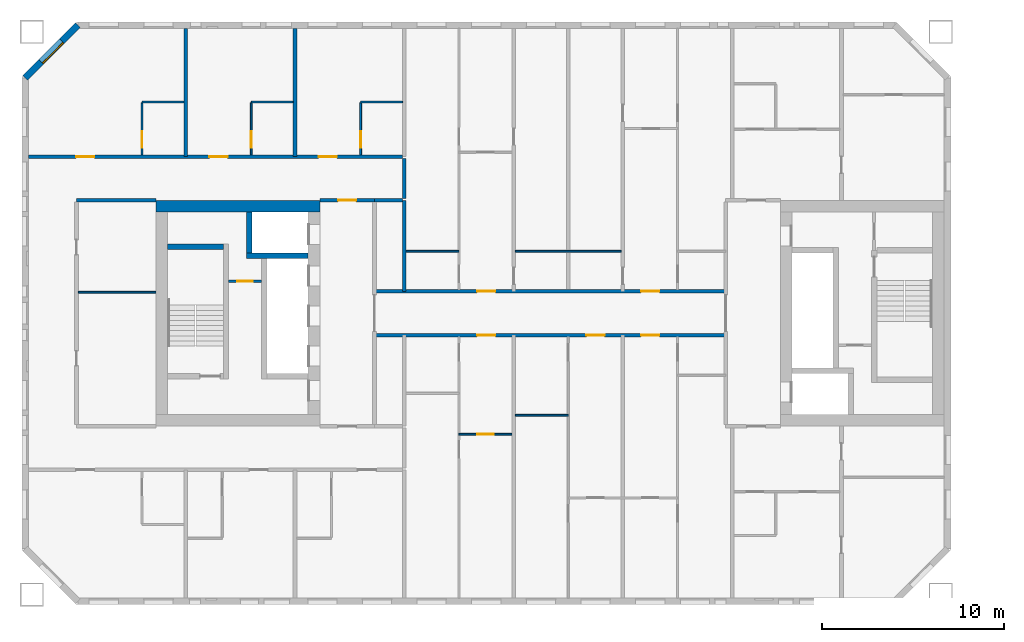
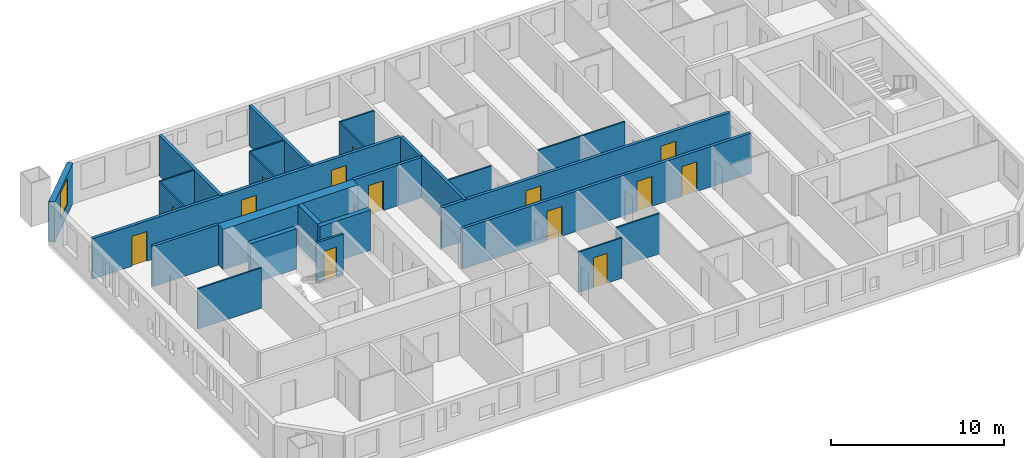
# One storey, part 5 of 17: 27 walls, 14 doors, 1 window, 15 openings.
"""IFC4 building model written with IfcOpenShell, lengths in metres."""

from ifc_helpers import new_model, si_unit, direction, frame, frame_2d, origin, place, context, subcontext, project, spatial, rectangle, extrude, material, layer, layer_set, type_object, element, fill, save


model = new_model("IFC4")

# Units and contexts
model_context = context("Model", 3, precision=1e-05, world=origin(), true_north=direction((0.0, 1.0)))
body_context = subcontext(model_context, "Body", "Model", "MODEL_VIEW")
ifc_project = project(units=[si_unit("LENGTHUNIT", "METRE"), si_unit("AREAUNIT", "SQUARE_METRE"), si_unit("VOLUMEUNIT", "CUBIC_METRE"), si_unit("PLANEANGLEUNIT", "RADIAN"), si_unit("MASSUNIT", "GRAM", prefix="KILO")], contexts=[model_context])

# Site, building, storey
site_placement = place(None, origin())
site = spatial("IfcSite", under=ifc_project, at=site_placement, CompositionType="ELEMENT")
building_placement = place(site_placement, origin())
building = spatial("IfcBuilding", under=site, at=building_placement, Name="Tuart Gate Housing", CompositionType="ELEMENT")
storey_placement = place(building_placement, frame((0.0, 0.0, 102.60009765625)))
storey = spatial("IfcBuildingStorey", under=building, at=storey_placement, Name="L28", CompositionType="ELEMENT", Elevation=102.60009765625)

# Wall, opening, window
ifc_material_1 = material(Name="Brick", Category="masonry")
ifc_layer_1 = layer(ifc_material_1, 0.360107421875)
ifc_layer_set_1 = layer_set([ifc_layer_1], Name="Brick pier and spandrel wall 360")
wall_type_1 = type_object("IfcWallType", Name="Brick pier and spandrel wall 360", PredefinedType="STANDARD", material=ifc_layer_set_1)
wall_1_placement = place(storey_placement, frame((28.07470703125, 85.820068359375, 0.0), z_axis=(0.0, 0.0, 1.0), x_axis=(-0.707106781187, -0.707106781187, 0.0)))
wall_1 = element("IfcWall", 1, at=wall_1_placement, inside=storey, type_object=wall_type_1, Name="External wall A-NW L28", PredefinedType="STANDARD", context=body_context, shape_type="SweptSolid", body=[
    extrude(rectangle(XDim=4.09375, YDim=0.360107421875, at=frame_2d((2.046875, 0.0))), origin(), (0.0, 0.0, 1.0), 2.849853515625),
])
opening_1_placement = place(wall_1_placement, frame((1.2470703125, 0.0, 0.800048828125)))
opening_1 = element("IfcOpeningElement", 2, at=opening_1_placement, cuts=wall_1, Name="Opening W1", PredefinedType="OPENING", context=body_context, shape_type="SweptSolid", body=[
    extrude(rectangle(XDim=1.60009765625, YDim=1.800048828125, at=frame_2d((0.800048828125, 0.89990234375))), frame((0.0, 0.18994140625, 0.0), z_axis=(0.0, -1.0, 0.0), x_axis=(1.0, 0.0, 0.0)), (0.0, 0.0, 1.0), 0.380126953125),
])
ifc_material_2 = material(Name="Aluminium frame with clear glass", Category="aluminium")
window_type = type_object("IfcWindowType", Name="Punched window 1600 x 1800", PartitioningType="SINGLE_PANEL", PredefinedType="WINDOW", material=ifc_material_2)
window_placement = place(opening_1_placement, origin())
window = element("IfcWindow", 3, at=window_placement, inside=storey, type_object=window_type, Name="Window W1", OverallHeight=1.800048828125, OverallWidth=1.60009765625, PartitioningType="SINGLE_PANEL", PredefinedType="WINDOW", context=body_context, shape_type="SweptSolid", body=[
    extrude(rectangle(XDim=1.60009765625, YDim=1.800048828125, at=frame_2d((0.800048828125, 0.89990234375))), frame((0.0, 0.150146484375, 0.0), z_axis=(0.0, -1.0, 0.0), x_axis=(1.0, 0.0, 0.0)), (0.0, 0.0, 1.0), 0.06005859375),
])
fill(opening_1, window)

# Wall, opening, door
ifc_material_3 = material(Name="Plasterboard partition")
ifc_layer_2 = layer(ifc_material_3, 0.14990234375)
ifc_layer_set_2 = layer_set([ifc_layer_2], Name="Core partition 150")
wall_type_2 = type_object("IfcWallType", Name="Core partition 150", PredefinedType="PARTITIONING", material=ifc_layer_set_2)
wall_2_placement = place(storey_placement, frame((38.159912109375, 71.75, 0.0), z_axis=(0.0, 0.0, 1.0), x_axis=(-1.0, 0.0, 0.0)))
wall_2 = element("IfcWall", 4, at=wall_2_placement, inside=storey, type_object=wall_type_2, Name="Core partition AK.3", PredefinedType="PARTITIONING", context=body_context, shape_type="SweptSolid", body=[
    extrude(rectangle(XDim=1.7998046875, YDim=0.14990234375, at=frame_2d((0.89990234375, 0.0))), origin(), (0.0, 0.0, 1.0), 2.849853515625),
])
opening_2_placement = place(wall_2_placement, frame((0.47509765625, 0.0, 0.0)))
opening_2 = element("IfcOpeningElement", 5, at=opening_2_placement, cuts=wall_2, Name="Opening D1089", PredefinedType="OPENING", context=body_context, shape_type="SweptSolid", body=[
    extrude(rectangle(XDim=0.85009765625, YDim=2.10009765625, at=frame_2d((0.425048828125, 1.050048828125))), frame((0.0, 0.0849609375, 0.0), z_axis=(0.0, -1.0, 0.0), x_axis=(1.0, 0.0, 0.0)), (0.0, 0.0, 1.0), 0.169921875),
])
ifc_material_4 = material(Name="Steel fire door", Category="steel")
door_type_1 = type_object("IfcDoorType", Name="Riser door 850 x 2100 RH", OperationType="SINGLE_SWING_RIGHT", PredefinedType="DOOR", material=ifc_material_4)
door_1_placement = place(opening_2_placement, frame((0.85009765625, 0.0, 0.0), z_axis=(0.0, 0.0, 1.0), x_axis=(-1.0, 0.0, 0.0)))
door_1 = element("IfcDoor", 6, at=door_1_placement, inside=storey, type_object=door_type_1, Name="Service room door AK.E1", OperationType="SINGLE_SWING_RIGHT", OverallHeight=2.10009765625, OverallWidth=0.85009765625, PredefinedType="DOOR", context=body_context, shape_type="SweptSolid", body=[
    extrude(rectangle(XDim=0.85009765625, YDim=2.10009765625, at=frame_2d((0.425048828125, 1.050048828125))), frame((0.0, 0.025146484375, 0.0), z_axis=(0.0, -1.0, 0.0), x_axis=(1.0, 0.0, 0.0)), (0.0, 0.0, 1.0), 0.050048828125),
])
fill(opening_2, door_1)

# Walls
ifc_material_5 = material(Name="Concrete C50", Category="concrete")
ifc_layer_3 = layer(ifc_material_5, 0.300048828125)
ifc_layer_set_3 = layer_set([ifc_layer_3], Name="Core wall 300 C50")
wall_type_3 = type_object("IfcWallType", Name="Core wall 300 C50", PredefinedType="SHEAR", material=ifc_layer_set_3)
wall_3_placement = place(storey_placement, frame((36.06005859375, 73.64990234375, 0.0), z_axis=(0.0, 0.0, 1.0), x_axis=(-1.0, 0.0, 0.0)))
element("IfcWall", 7, at=wall_3_placement, inside=storey, type_object=wall_type_3, Name="Core wall AK.1", PredefinedType="SHEAR", context=body_context, shape_type="SweptSolid", body=[
    extrude(rectangle(XDim=3.050048828125, YDim=0.300048828125, at=frame_2d((1.52490234375, 0.0))), origin(), (0.0, 0.0, 1.0), 2.849853515625),
])
wall_4_placement = place(storey_placement, frame((40.7099609375, 73.14990234375, 0.0), z_axis=(0.0, 0.0, 1.0), x_axis=(-1.0, 0.0, 0.0)))
element("IfcWall", 8, at=wall_4_placement, inside=storey, type_object=wall_type_3, Name="Core wall AK.2", PredefinedType="SHEAR", context=body_context, shape_type="SweptSolid", body=[
    extrude(rectangle(XDim=3.369873046875, YDim=0.300048828125, at=frame_2d((1.68505859375, 0.0))), origin(), (0.0, 0.0, 1.0), 2.849853515625),
])
wall_5_placement = place(storey_placement, frame((37.489990234375, 75.550048828125, 0.0), z_axis=(0.0, 0.0, 1.0), x_axis=(0.0, -1.0, 0.0)))
element("IfcWall", 9, at=wall_5_placement, inside=storey, type_object=wall_type_3, Name="Core wall AK.7", PredefinedType="SHEAR", context=body_context, shape_type="SweptSolid", body=[
    extrude(rectangle(XDim=2.25, YDim=0.300048828125, at=frame_2d((1.125, 0.0))), origin(), (0.0, 0.0, 1.0), 2.849853515625),
])
ifc_material_6 = material(Name="Concrete C50", Category="concrete")
ifc_layer_4 = layer(ifc_material_6, 0.64990234375)
ifc_layer_set_4 = layer_set([ifc_layer_4], Name="Core wall 650 C50")
wall_type_4 = type_object("IfcWallType", Name="Core wall 650 C50", PredefinedType="SHEAR", material=ifc_layer_set_4)
wall_6_placement = place(storey_placement, frame((41.360107421875, 75.875, 0.0), z_axis=(0.0, 0.0, 1.0), x_axis=(-1.0, 0.0, 0.0)))
element("IfcWall", 10, at=wall_6_placement, inside=storey, type_object=wall_type_4, Name="Core wall AK south", PredefinedType="SHEAR", context=body_context, shape_type="SweptSolid", body=[
    extrude(rectangle(XDim=9.0, YDim=0.64990234375, at=frame_2d((4.5, 0.0))), origin(), (0.0, 0.0, 1.0), 2.849853515625),
])

# Wall, openings, doors
ifc_material_7 = material(Name="Concrete masonry 15 MPa", Category="masonry")
ifc_layer_5 = layer(ifc_material_7, 0.199951171875)
ifc_layer_set_5 = layer_set([ifc_layer_5], Name="Corridor wall masonry 200")
wall_type_5 = type_object("IfcWallType", Name="Corridor wall masonry 200", PredefinedType="PARTITIONING", material=ifc_layer_set_5)
wall_7_placement = place(storey_placement, frame((44.360107421875, 68.800048828125, 0.0), z_axis=(0.0, 0.0, 1.0), x_axis=(1.0, 0.0, 0.0)))
wall_7 = element("IfcWall", 11, at=wall_7_placement, inside=storey, type_object=wall_type_5, Name="Corridor wall masonry 200", PredefinedType="PARTITIONING", context=body_context, shape_type="SweptSolid", body=[
    extrude(rectangle(XDim=19.27978515625, YDim=0.199951171875, at=frame_2d((9.639892578125, 0.0))), origin(), (0.0, 0.0, 1.0), 2.849853515625),
])
opening_3_placement = place(wall_7_placement, frame((14.639892578125, 0.0, 0.0)))
opening_3 = element("IfcOpeningElement", 12, at=opening_3_placement, cuts=wall_7, Name="Opening D1099", PredefinedType="OPENING", context=body_context, shape_type="SweptSolid", body=[
    extrude(rectangle(XDim=1.0, YDim=2.10009765625, at=frame_2d((0.5, 1.050048828125))), frame((0.0, 0.10986328125, 0.0), z_axis=(0.0, -1.0, 0.0), x_axis=(1.0, 0.0, 0.0)), (0.0, 0.0, 1.0), 0.219970703125),
])
opening_4_placement = place(wall_7_placement, frame((11.639892578125, 0.0, 0.0)))
opening_4 = element("IfcOpeningElement", 13, at=opening_4_placement, cuts=wall_7, Name="Opening D1100", PredefinedType="OPENING", context=body_context, shape_type="SweptSolid", body=[
    extrude(rectangle(XDim=1.0, YDim=2.10009765625, at=frame_2d((0.5, 1.050048828125))), frame((0.0, 0.10986328125, 0.0), z_axis=(0.0, -1.0, 0.0), x_axis=(1.0, 0.0, 0.0)), (0.0, 0.0, 1.0), 0.219970703125),
])
opening_5_placement = place(wall_7_placement, frame((5.639892578125, 0.0, 0.0)))
opening_5 = element("IfcOpeningElement", 14, at=opening_5_placement, cuts=wall_7, Name="Opening D1101", PredefinedType="OPENING", context=body_context, shape_type="SweptSolid", body=[
    extrude(rectangle(XDim=1.0, YDim=2.10009765625, at=frame_2d((0.5, 1.050048828125))), frame((0.0, 0.10986328125, 0.0), z_axis=(0.0, -1.0, 0.0), x_axis=(1.0, 0.0, 0.0)), (0.0, 0.0, 1.0), 0.219970703125),
])
ifc_material_8 = material(Name="Timber door leaf in steel frame", Category="steel")
door_type_2 = type_object("IfcDoorType", Name="Flat entrance door 1000 RH", OperationType="SINGLE_SWING_RIGHT", PredefinedType="DOOR", material=ifc_material_8)
door_2_placement = place(opening_3_placement, frame((1.0, 0.0, 0.0), z_axis=(0.0, 0.0, 1.0), x_axis=(-1.0, 0.0, 0.0)))
door_2 = element("IfcDoor", 15, at=door_2_placement, inside=storey, type_object=door_type_2, Name="Flat entrance door", OperationType="SINGLE_SWING_RIGHT", OverallHeight=2.10009765625, OverallWidth=1.0, PredefinedType="DOOR", context=body_context, shape_type="SweptSolid", body=[
    extrude(rectangle(XDim=1.0, YDim=2.10009765625, at=frame_2d((0.5, 1.050048828125))), frame((0.0, 0.025146484375, 0.0), z_axis=(0.0, -1.0, 0.0), x_axis=(1.0, 0.0, 0.0)), (0.0, 0.0, 1.0), 0.050048828125),
])
fill(opening_3, door_2)
door_3_placement = place(opening_4_placement, frame((1.0, 0.0, 0.0), z_axis=(0.0, 0.0, 1.0), x_axis=(-1.0, 0.0, 0.0)))
door_3 = element("IfcDoor", 16, at=door_3_placement, inside=storey, type_object=door_type_2, Name="Flat entrance door", OperationType="SINGLE_SWING_RIGHT", OverallHeight=2.10009765625, OverallWidth=1.0, PredefinedType="DOOR", context=body_context, shape_type="SweptSolid", body=[
    extrude(rectangle(XDim=1.0, YDim=2.10009765625, at=frame_2d((0.5, 1.050048828125))), frame((0.0, 0.025146484375, 0.0), z_axis=(0.0, -1.0, 0.0), x_axis=(1.0, 0.0, 0.0)), (0.0, 0.0, 1.0), 0.050048828125),
])
fill(opening_4, door_3)
door_4_placement = place(opening_5_placement, frame((1.0, 0.0, 0.0), z_axis=(0.0, 0.0, 1.0), x_axis=(-1.0, 0.0, 0.0)))
door_4 = element("IfcDoor", 17, at=door_4_placement, inside=storey, type_object=door_type_2, Name="Flat entrance door", OperationType="SINGLE_SWING_RIGHT", OverallHeight=2.10009765625, OverallWidth=1.0, PredefinedType="DOOR", context=body_context, shape_type="SweptSolid", body=[
    extrude(rectangle(XDim=1.0, YDim=2.10009765625, at=frame_2d((0.5, 1.050048828125))), frame((0.0, 0.025146484375, 0.0), z_axis=(0.0, -1.0, 0.0), x_axis=(1.0, 0.0, 0.0)), (0.0, 0.0, 1.0), 0.050048828125),
])
fill(opening_5, door_4)

wall_8_placement = place(storey_placement, frame((44.360107421875, 71.199951171875, 0.0), z_axis=(0.0, 0.0, 1.0), x_axis=(1.0, 0.0, 0.0)))
wall_8 = element("IfcWall", 18, at=wall_8_placement, inside=storey, type_object=wall_type_5, Name="Corridor wall masonry 200", PredefinedType="PARTITIONING", context=body_context, shape_type="SweptSolid", body=[
    extrude(rectangle(XDim=19.27978515625, YDim=0.199951171875, at=frame_2d((9.639892578125, 0.0))), origin(), (0.0, 0.0, 1.0), 2.849853515625),
])
opening_6_placement = place(wall_8_placement, frame((14.639892578125, 0.0, 0.0)))
opening_6 = element("IfcOpeningElement", 19, at=opening_6_placement, cuts=wall_8, Name="Opening D1090", PredefinedType="OPENING", context=body_context, shape_type="SweptSolid", body=[
    extrude(rectangle(XDim=1.0, YDim=2.10009765625, at=frame_2d((0.5, 1.050048828125))), frame((0.0, 0.10986328125, 0.0), z_axis=(0.0, -1.0, 0.0), x_axis=(1.0, 0.0, 0.0)), (0.0, 0.0, 1.0), 0.219970703125),
])
opening_7_placement = place(wall_8_placement, frame((5.639892578125, 0.0, 0.0)))
opening_7 = element("IfcOpeningElement", 20, at=opening_7_placement, cuts=wall_8, Name="Opening D1091", PredefinedType="OPENING", context=body_context, shape_type="SweptSolid", body=[
    extrude(rectangle(XDim=1.0, YDim=2.10009765625, at=frame_2d((0.5, 1.050048828125))), frame((0.0, 0.10986328125, 0.0), z_axis=(0.0, -1.0, 0.0), x_axis=(1.0, 0.0, 0.0)), (0.0, 0.0, 1.0), 0.219970703125),
])
ifc_material_9 = material(Name="Timber door leaf in steel frame", Category="steel")
door_type_3 = type_object("IfcDoorType", Name="Flat entrance door 1000", OperationType="SINGLE_SWING_LEFT", PredefinedType="DOOR", material=ifc_material_9)
door_5_placement = place(opening_6_placement, origin())
door_5 = element("IfcDoor", 21, at=door_5_placement, inside=storey, type_object=door_type_3, Name="Flat entrance door", OperationType="SINGLE_SWING_LEFT", OverallHeight=2.10009765625, OverallWidth=1.0, PredefinedType="DOOR", context=body_context, shape_type="SweptSolid", body=[
    extrude(rectangle(XDim=1.0, YDim=2.10009765625, at=frame_2d((0.5, 1.050048828125))), frame((0.0, 0.02490234375, 0.0), z_axis=(0.0, -1.0, 0.0), x_axis=(1.0, 0.0, 0.0)), (0.0, 0.0, 1.0), 0.050048828125),
])
fill(opening_6, door_5)
door_6_placement = place(opening_7_placement, origin())
door_6 = element("IfcDoor", 22, at=door_6_placement, inside=storey, type_object=door_type_3, Name="Flat entrance door", OperationType="SINGLE_SWING_LEFT", OverallHeight=2.10009765625, OverallWidth=1.0, PredefinedType="DOOR", context=body_context, shape_type="SweptSolid", body=[
    extrude(rectangle(XDim=1.0, YDim=2.10009765625, at=frame_2d((0.5, 1.050048828125))), frame((0.0, 0.02490234375, 0.0), z_axis=(0.0, -1.0, 0.0), x_axis=(1.0, 0.0, 0.0)), (0.0, 0.0, 1.0), 0.050048828125),
])
fill(opening_7, door_6)

# Walls
wall_9_placement = place(storey_placement, frame((28.0, 76.199951171875, 0.0), z_axis=(0.0, 0.0, 1.0), x_axis=(1.0, 0.0, 0.0)))
element("IfcWall", 23, at=wall_9_placement, inside=storey, type_object=wall_type_5, Name="Corridor wall masonry 200", PredefinedType="PARTITIONING", context=body_context, shape_type="SweptSolid", body=[
    extrude(rectangle(XDim=4.360107421875, YDim=0.199951171875, at=frame_2d((2.18017578125, 0.0))), origin(), (0.0, 0.0, 1.0), 2.849853515625),
])
wall_10_placement = place(storey_placement, frame((44.360107421875, 76.199951171875, 0.0), z_axis=(0.0, 0.0, 1.0), x_axis=(1.0, 0.0, 0.0)))
element("IfcWall", 24, at=wall_10_placement, inside=storey, type_object=wall_type_5, Name="Corridor wall masonry 200", PredefinedType="PARTITIONING", context=body_context, shape_type="SweptSolid", body=[
    extrude(rectangle(XDim=1.539794921875, YDim=0.199951171875, at=frame_2d((0.77001953125, 0.0))), origin(), (0.0, 0.0, 1.0), 2.849853515625),
])

# Wall, openings, doors
wall_11_placement = place(storey_placement, frame((25.360107421875, 78.60009765625, 0.0), z_axis=(0.0, 0.0, 1.0), x_axis=(1.0, 0.0, 0.0)))
wall_11 = element("IfcWall", 25, at=wall_11_placement, inside=storey, type_object=wall_type_5, Name="Corridor wall masonry 200", PredefinedType="PARTITIONING", context=body_context, shape_type="SweptSolid", body=[
    extrude(rectangle(XDim=20.539794921875, YDim=0.199951171875, at=frame_2d((10.27001953125, 0.0))), origin(), (0.0, 0.0, 1.0), 2.849853515625),
])
opening_8_placement = place(wall_11_placement, frame((15.93994140625, 0.0, 0.0)))
opening_8 = element("IfcOpeningElement", 26, at=opening_8_placement, cuts=wall_11, Name="Opening D1075", PredefinedType="OPENING", context=body_context, shape_type="SweptSolid", body=[
    extrude(rectangle(XDim=1.0, YDim=2.10009765625, at=frame_2d((0.5, 1.050048828125))), frame((0.0, 0.10986328125, 0.0), z_axis=(0.0, -1.0, 0.0), x_axis=(1.0, 0.0, 0.0)), (0.0, 0.0, 1.0), 0.219970703125),
])
opening_9_placement = place(wall_11_placement, frame((9.93994140625, 0.0, 0.0)))
opening_9 = element("IfcOpeningElement", 27, at=opening_9_placement, cuts=wall_11, Name="Opening D1076", PredefinedType="OPENING", context=body_context, shape_type="SweptSolid", body=[
    extrude(rectangle(XDim=1.0, YDim=2.10009765625, at=frame_2d((0.5, 1.050048828125))), frame((0.0, 0.10986328125, 0.0), z_axis=(0.0, -1.0, 0.0), x_axis=(1.0, 0.0, 0.0)), (0.0, 0.0, 1.0), 0.219970703125),
])
opening_10_placement = place(wall_11_placement, frame((2.6201171875, 0.0, 0.0)))
opening_10 = element("IfcOpeningElement", 28, at=opening_10_placement, cuts=wall_11, Name="Opening D1077", PredefinedType="OPENING", context=body_context, shape_type="SweptSolid", body=[
    extrude(rectangle(XDim=1.0, YDim=2.10009765625, at=frame_2d((0.5, 1.050048828125))), frame((0.0, 0.10986328125, 0.0), z_axis=(0.0, -1.0, 0.0), x_axis=(1.0, 0.0, 0.0)), (0.0, 0.0, 1.0), 0.219970703125),
])
door_7_placement = place(opening_8_placement, origin())
door_7 = element("IfcDoor", 29, at=door_7_placement, inside=storey, type_object=door_type_3, Name="Flat entrance door", OperationType="SINGLE_SWING_LEFT", OverallHeight=2.10009765625, OverallWidth=1.0, PredefinedType="DOOR", context=body_context, shape_type="SweptSolid", body=[
    extrude(rectangle(XDim=1.0, YDim=2.10009765625, at=frame_2d((0.5, 1.050048828125))), frame((0.0, 0.02490234375, 0.0), z_axis=(0.0, -1.0, 0.0), x_axis=(1.0, 0.0, 0.0)), (0.0, 0.0, 1.0), 0.050048828125),
])
fill(opening_8, door_7)
door_8_placement = place(opening_9_placement, origin())
door_8 = element("IfcDoor", 30, at=door_8_placement, inside=storey, type_object=door_type_3, Name="Flat entrance door", OperationType="SINGLE_SWING_LEFT", OverallHeight=2.10009765625, OverallWidth=1.0, PredefinedType="DOOR", context=body_context, shape_type="SweptSolid", body=[
    extrude(rectangle(XDim=1.0, YDim=2.10009765625, at=frame_2d((0.5, 1.050048828125))), frame((0.0, 0.02490234375, 0.0), z_axis=(0.0, -1.0, 0.0), x_axis=(1.0, 0.0, 0.0)), (0.0, 0.0, 1.0), 0.050048828125),
])
fill(opening_9, door_8)
door_9_placement = place(opening_10_placement, origin())
door_9 = element("IfcDoor", 31, at=door_9_placement, inside=storey, type_object=door_type_3, Name="Flat entrance door", OperationType="SINGLE_SWING_LEFT", OverallHeight=2.10009765625, OverallWidth=1.0, PredefinedType="DOOR", context=body_context, shape_type="SweptSolid", body=[
    extrude(rectangle(XDim=1.0, YDim=2.10009765625, at=frame_2d((0.5, 1.050048828125))), frame((0.0, 0.02490234375, 0.0), z_axis=(0.0, -1.0, 0.0), x_axis=(1.0, 0.0, 0.0)), (0.0, 0.0, 1.0), 0.050048828125),
])
fill(opening_10, door_9)

# Wall
wall_12_placement = place(storey_placement, frame((46.0, 76.300048828125, 0.0), z_axis=(0.0, 0.0, 1.0), x_axis=(0.0, 1.0, 0.0)))
element("IfcWall", 32, at=wall_12_placement, inside=storey, type_object=wall_type_5, Name="Corridor wall masonry 200", PredefinedType="PARTITIONING", context=body_context, shape_type="SweptSolid", body=[
    extrude(rectangle(XDim=2.199951171875, YDim=0.199951171875, at=frame_2d((1.10009765625, 0.0))), origin(), (0.0, 0.0, 1.0), 2.849853515625),
])

# Wall, opening, door
ifc_material_10 = material(Name="Concrete masonry 15 MPa", Category="masonry")
ifc_layer_6 = layer(ifc_material_10, 0.199951171875)
ifc_layer_set_6 = layer_set([ifc_layer_6], Name="Enclosure wall masonry 200")
wall_type_6 = type_object("IfcWallType", Name="Enclosure wall masonry 200", PredefinedType="PARTITIONING", material=ifc_layer_set_6)
wall_13_placement = place(storey_placement, frame((41.360107421875, 76.199951171875, 0.0), z_axis=(0.0, 0.0, 1.0), x_axis=(1.0, 0.0, 0.0)))
wall_13 = element("IfcWall", 33, at=wall_13_placement, inside=storey, type_object=wall_type_6, Name="Enclosure wall masonry 200", PredefinedType="PARTITIONING", context=body_context, shape_type="SweptSolid", body=[
    extrude(rectangle(XDim=3.0, YDim=0.199951171875, at=frame_2d((1.5, 0.0))), origin(), (0.0, 0.0, 1.0), 2.849853515625),
])
opening_11_placement = place(wall_13_placement, frame((1.0, 0.0, 0.0)))
opening_11 = element("IfcOpeningElement", 34, at=opening_11_placement, cuts=wall_13, Name="Opening D1086", PredefinedType="OPENING", context=body_context, shape_type="SweptSolid", body=[
    extrude(rectangle(XDim=1.0, YDim=2.10009765625, at=frame_2d((0.5, 1.050048828125))), frame((0.0, 0.10986328125, 0.0), z_axis=(0.0, -1.0, 0.0), x_axis=(1.0, 0.0, 0.0)), (0.0, 0.0, 1.0), 0.219970703125),
])
ifc_material_11 = material(Name="Timber door leaf in steel frame", Category="steel")
door_type_4 = type_object("IfcDoorType", Name="Fire door 1000 RH", OperationType="SINGLE_SWING_RIGHT", PredefinedType="DOOR", material=ifc_material_11)
door_10_placement = place(opening_11_placement, origin())
door_10 = element("IfcDoor", 35, at=door_10_placement, inside=storey, type_object=door_type_4, Name="Fire door", OperationType="SINGLE_SWING_RIGHT", OverallHeight=2.10009765625, OverallWidth=1.0, PredefinedType="DOOR", context=body_context, shape_type="SweptSolid", body=[
    extrude(rectangle(XDim=1.0, YDim=2.10009765625, at=frame_2d((0.5, 1.050048828125))), frame((0.0, 0.02490234375, 0.0), z_axis=(0.0, -1.0, 0.0), x_axis=(1.0, 0.0, 0.0)), (0.0, 0.0, 1.0), 0.050048828125),
])
fill(opening_11, door_10)

ifc_material_12 = material(Name="Gypsum board on steel studs", Category="steel")
ifc_layer_7 = layer(ifc_material_12, 0.10009765625)
ifc_layer_set_7 = layer_set([ifc_layer_7], Name="Partition 100")
wall_type_7 = type_object("IfcWallType", Name="Partition 100", PredefinedType="PARTITIONING", material=ifc_layer_set_7)
wall_14_placement = place(storey_placement, frame((49.0, 63.360107421875, 0.0), z_axis=(0.0, 0.0, 1.0), x_axis=(1.0, 0.0, 0.0)))
wall_14 = element("IfcWall", 36, at=wall_14_placement, inside=storey, type_object=wall_type_7, Name="Partition 100", PredefinedType="PARTITIONING", context=body_context, shape_type="SweptSolid", body=[
    extrude(rectangle(XDim=2.89990234375, YDim=0.10009765625, at=frame_2d((1.449951171875, 0.0))), origin(), (0.0, 0.0, 1.0), 2.849853515625),
])
opening_12_placement = place(wall_14_placement, frame((1.0, 0.0, 0.0)))
opening_12 = element("IfcOpeningElement", 37, at=opening_12_placement, cuts=wall_14, Name="Opening D1106", PredefinedType="OPENING", context=body_context, shape_type="SweptSolid", body=[
    extrude(rectangle(XDim=0.89990234375, YDim=2.10009765625, at=frame_2d((0.449951171875, 1.050048828125))), frame((0.0, 0.06005859375, 0.0), z_axis=(0.0, -1.0, 0.0), x_axis=(1.0, 0.0, 0.0)), (0.0, 0.0, 1.0), 0.1201171875),
])
ifc_material_13 = material(Name="Timber door leaf in steel frame", Category="steel")
door_type_5 = type_object("IfcDoorType", Name="Internal door 900", OperationType="SINGLE_SWING_LEFT", PredefinedType="DOOR", material=ifc_material_13)
door_11_placement = place(opening_12_placement, origin())
door_11 = element("IfcDoor", 38, at=door_11_placement, inside=storey, type_object=door_type_5, Name="Internal door", OperationType="SINGLE_SWING_LEFT", OverallHeight=2.10009765625, OverallWidth=0.89990234375, PredefinedType="DOOR", context=body_context, shape_type="SweptSolid", body=[
    extrude(rectangle(XDim=0.89990234375, YDim=2.10009765625, at=frame_2d((0.449951171875, 1.050048828125))), frame((0.0, 0.02490234375, 0.0), z_axis=(0.0, -1.0, 0.0), x_axis=(1.0, 0.0, 0.0)), (0.0, 0.0, 1.0), 0.050048828125),
])
fill(opening_12, door_11)

# Walls
wall_15_placement = place(storey_placement, frame((52.10009765625, 64.39990234375, 0.0), z_axis=(0.0, 0.0, 1.0), x_axis=(1.0, 0.0, 0.0)))
element("IfcWall", 39, at=wall_15_placement, inside=storey, type_object=wall_type_7, Name="Partition 100", PredefinedType="PARTITIONING", context=body_context, shape_type="SweptSolid", body=[
    extrude(rectangle(XDim=2.89990234375, YDim=0.10009765625, at=frame_2d((1.449951171875, 0.0))), origin(), (0.0, 0.0, 1.0), 2.849853515625),
])
wall_16_placement = place(storey_placement, frame((28.10009765625, 71.14990234375, 0.0), z_axis=(0.0, 0.0, 1.0), x_axis=(1.0, 0.0, 0.0)))
element("IfcWall", 40, at=wall_16_placement, inside=storey, type_object=wall_type_7, Name="Partition 100", PredefinedType="PARTITIONING", context=body_context, shape_type="SweptSolid", body=[
    extrude(rectangle(XDim=4.260009765625, YDim=0.10009765625, at=frame_2d((2.1298828125, 0.0))), origin(), (0.0, 0.0, 1.0), 2.849853515625),
])
wall_17_placement = place(storey_placement, frame((46.10009765625, 73.39990234375, 0.0), z_axis=(0.0, 0.0, 1.0), x_axis=(1.0, 0.0, 0.0)))
element("IfcWall", 41, at=wall_17_placement, inside=storey, type_object=wall_type_7, Name="Partition 100", PredefinedType="PARTITIONING", context=body_context, shape_type="SweptSolid", body=[
    extrude(rectangle(XDim=2.89990234375, YDim=0.10009765625, at=frame_2d((1.449951171875, 0.0))), origin(), (0.0, 0.0, 1.0), 2.849853515625),
])
wall_18_placement = place(storey_placement, frame((52.10009765625, 73.39990234375, 0.0), z_axis=(0.0, 0.0, 1.0), x_axis=(1.0, 0.0, 0.0)))
element("IfcWall", 42, at=wall_18_placement, inside=storey, type_object=wall_type_7, Name="Partition 100", PredefinedType="PARTITIONING", context=body_context, shape_type="SweptSolid", body=[
    extrude(rectangle(XDim=5.7998046875, YDim=0.10009765625, at=frame_2d((2.89990234375, 0.0))), origin(), (0.0, 0.0, 1.0), 2.849853515625),
])
for number, where, z_axis, x_axis, name in (
    (43, (31.60009765625, 81.60009765625, 0.0), (0.0, 0.0, 1.0), (1.0, 0.0, 0.0), "Partition 100"),
    (44, (37.60009765625, 81.60009765625, 0.0), (0.0, 0.0, 1.0), (1.0, 0.0, 0.0), "Partition 100"),
    (45, (43.60009765625, 81.60009765625, 0.0), (0.0, 0.0, 1.0), (1.0, 0.0, 0.0), "Partition 100"),
):
    element("IfcWall", number, at=place(storey_placement, frame(where, z_axis=z_axis, x_axis=x_axis)), inside=storey, type_object=wall_type_7, Name=name, PredefinedType="PARTITIONING", context=body_context, shape_type="SweptSolid", body=[
        extrude(rectangle(XDim=2.2998046875, YDim=0.10009765625, at=frame_2d((1.14990234375, 0.0))), origin(), (0.0, 0.0, 1.0), 2.849853515625),
    ])

# Wall, opening, door
wall_19_placement = place(storey_placement, frame((31.60009765625, 78.699951171875, 0.0), z_axis=(0.0, 0.0, 1.0), x_axis=(0.0, 1.0, 0.0)))
wall_19 = element("IfcWall", 46, at=wall_19_placement, inside=storey, type_object=wall_type_7, Name="Partition 100", PredefinedType="PARTITIONING", context=body_context, shape_type="SweptSolid", body=[
    extrude(rectangle(XDim=2.85009765625, YDim=0.10009765625, at=frame_2d((1.425048828125, 0.0))), origin(), (0.0, 0.0, 1.0), 2.849853515625),
])
opening_13_placement = place(wall_19_placement, frame((0.39990234375, 0.0, 0.0)))
opening_13 = element("IfcOpeningElement", 47, at=opening_13_placement, cuts=wall_19, Name="Opening D1069", PredefinedType="OPENING", context=body_context, shape_type="SweptSolid", body=[
    extrude(rectangle(XDim=0.89990234375, YDim=2.10009765625, at=frame_2d((0.449951171875, 1.050048828125))), frame((0.0, 0.06005859375, 0.0), z_axis=(0.0, -1.0, 0.0), x_axis=(1.0, 0.0, 0.0)), (0.0, 0.0, 1.0), 0.1201171875),
])
ifc_material_14 = material(Name="Timber door leaf in steel frame", Category="steel")
door_type_6 = type_object("IfcDoorType", Name="Bathroom door 900 RH", OperationType="SINGLE_SWING_RIGHT", PredefinedType="DOOR", material=ifc_material_14)
door_12_placement = place(opening_13_placement, frame((0.89990234375, 0.0, 0.0), z_axis=(0.0, 0.0, 1.0), x_axis=(-1.0, 0.0, 0.0)))
door_12 = element("IfcDoor", 48, at=door_12_placement, inside=storey, type_object=door_type_6, Name="Bathroom door", OperationType="SINGLE_SWING_RIGHT", OverallHeight=2.10009765625, OverallWidth=0.89990234375, PredefinedType="DOOR", context=body_context, shape_type="SweptSolid", body=[
    extrude(rectangle(XDim=0.89990234375, YDim=2.10009765625, at=frame_2d((0.449951171875, 1.050048828125))), frame((0.0, 0.025146484375, 0.0), z_axis=(0.0, -1.0, 0.0), x_axis=(1.0, 0.0, 0.0)), (0.0, 0.0, 1.0), 0.050048828125),
])
fill(opening_13, door_12)

wall_20_placement = place(storey_placement, frame((37.60009765625, 78.699951171875, 0.0), z_axis=(0.0, 0.0, 1.0), x_axis=(0.0, 1.0, 0.0)))
wall_20 = element("IfcWall", 49, at=wall_20_placement, inside=storey, type_object=wall_type_7, Name="Partition 100", PredefinedType="PARTITIONING", context=body_context, shape_type="SweptSolid", body=[
    extrude(rectangle(XDim=2.85009765625, YDim=0.10009765625, at=frame_2d((1.425048828125, 0.0))), origin(), (0.0, 0.0, 1.0), 2.849853515625),
])
opening_14_placement = place(wall_20_placement, frame((0.39990234375, 0.0, 0.0)))
opening_14 = element("IfcOpeningElement", 50, at=opening_14_placement, cuts=wall_20, Name="Opening D1070", PredefinedType="OPENING", context=body_context, shape_type="SweptSolid", body=[
    extrude(rectangle(XDim=0.89990234375, YDim=2.10009765625, at=frame_2d((0.449951171875, 1.050048828125))), frame((0.0, 0.06005859375, 0.0), z_axis=(0.0, -1.0, 0.0), x_axis=(1.0, 0.0, 0.0)), (0.0, 0.0, 1.0), 0.1201171875),
])
door_13_placement = place(opening_14_placement, frame((0.89990234375, 0.0, 0.0), z_axis=(0.0, 0.0, 1.0), x_axis=(-1.0, 0.0, 0.0)))
door_13 = element("IfcDoor", 51, at=door_13_placement, inside=storey, type_object=door_type_6, Name="Bathroom door", OperationType="SINGLE_SWING_RIGHT", OverallHeight=2.10009765625, OverallWidth=0.89990234375, PredefinedType="DOOR", context=body_context, shape_type="SweptSolid", body=[
    extrude(rectangle(XDim=0.89990234375, YDim=2.10009765625, at=frame_2d((0.449951171875, 1.050048828125))), frame((0.0, 0.025146484375, 0.0), z_axis=(0.0, -1.0, 0.0), x_axis=(1.0, 0.0, 0.0)), (0.0, 0.0, 1.0), 0.050048828125),
])
fill(opening_14, door_13)

wall_21_placement = place(storey_placement, frame((43.60009765625, 78.699951171875, 0.0), z_axis=(0.0, 0.0, 1.0), x_axis=(0.0, 1.0, 0.0)))
wall_21 = element("IfcWall", 52, at=wall_21_placement, inside=storey, type_object=wall_type_7, Name="Partition 100", PredefinedType="PARTITIONING", context=body_context, shape_type="SweptSolid", body=[
    extrude(rectangle(XDim=2.85009765625, YDim=0.10009765625, at=frame_2d((1.425048828125, 0.0))), origin(), (0.0, 0.0, 1.0), 2.849853515625),
])
opening_15_placement = place(wall_21_placement, frame((0.39990234375, 0.0, 0.0)))
opening_15 = element("IfcOpeningElement", 53, at=opening_15_placement, cuts=wall_21, Name="Opening D1071", PredefinedType="OPENING", context=body_context, shape_type="SweptSolid", body=[
    extrude(rectangle(XDim=0.89990234375, YDim=2.10009765625, at=frame_2d((0.449951171875, 1.050048828125))), frame((0.0, 0.06005859375, 0.0), z_axis=(0.0, -1.0, 0.0), x_axis=(1.0, 0.0, 0.0)), (0.0, 0.0, 1.0), 0.1201171875),
])
door_14_placement = place(opening_15_placement, frame((0.89990234375, 0.0, 0.0), z_axis=(0.0, 0.0, 1.0), x_axis=(-1.0, 0.0, 0.0)))
door_14 = element("IfcDoor", 54, at=door_14_placement, inside=storey, type_object=door_type_6, Name="Bathroom door", OperationType="SINGLE_SWING_RIGHT", OverallHeight=2.10009765625, OverallWidth=0.89990234375, PredefinedType="DOOR", context=body_context, shape_type="SweptSolid", body=[
    extrude(rectangle(XDim=0.89990234375, YDim=2.10009765625, at=frame_2d((0.449951171875, 1.050048828125))), frame((0.0, 0.025146484375, 0.0), z_axis=(0.0, -1.0, 0.0), x_axis=(1.0, 0.0, 0.0)), (0.0, 0.0, 1.0), 0.050048828125),
])
fill(opening_15, door_14)

# Walls
ifc_material_15 = material(Name="Concrete C40", Category="concrete")
ifc_layer_8 = layer(ifc_material_15, 0.199951171875)
ifc_layer_set_8 = layer_set([ifc_layer_8], Name="Party wall concrete C40 200")
wall_type_8 = type_object("IfcWallType", Name="Party wall concrete C40 200", PredefinedType="SOLIDWALL", material=ifc_layer_set_8)
for number, where, z_axis, x_axis, name in (
    (55, (34.0, 78.60009765625, 0.0), (0.0, 0.0, 1.0), (0.0, 1.0, 0.0), "Party wall concrete C40 200"),
    (56, (40.0, 78.60009765625, 0.0), (0.0, 0.0, 1.0), (0.0, 1.0, 0.0), "Party wall concrete C40 200"),
):
    element("IfcWall", number, at=place(storey_placement, frame(where, z_axis=z_axis, x_axis=x_axis)), inside=storey, type_object=wall_type_8, Name=name, PredefinedType="SOLIDWALL", context=body_context, shape_type="SweptSolid", body=[
        extrude(rectangle(XDim=7.039794921875, YDim=0.199951171875, at=frame_2d((3.52001953125, 0.0))), origin(), (0.0, 0.0, 1.0), 2.849853515625),
    ])
wall_22_placement = place(storey_placement, frame((46.0, 71.199951171875, 0.0), z_axis=(0.0, 0.0, 1.0), x_axis=(0.0, 1.0, 0.0)))
element("IfcWall", 57, at=wall_22_placement, inside=storey, type_object=wall_type_8, Name="Party wall concrete C40 200", PredefinedType="SOLIDWALL", context=body_context, shape_type="SweptSolid", body=[
    extrude(rectangle(XDim=5.0, YDim=0.199951171875, at=frame_2d((2.5, 0.0))), origin(), (0.0, 0.0, 1.0), 2.849853515625),
])

save(model, "model.ifc")
